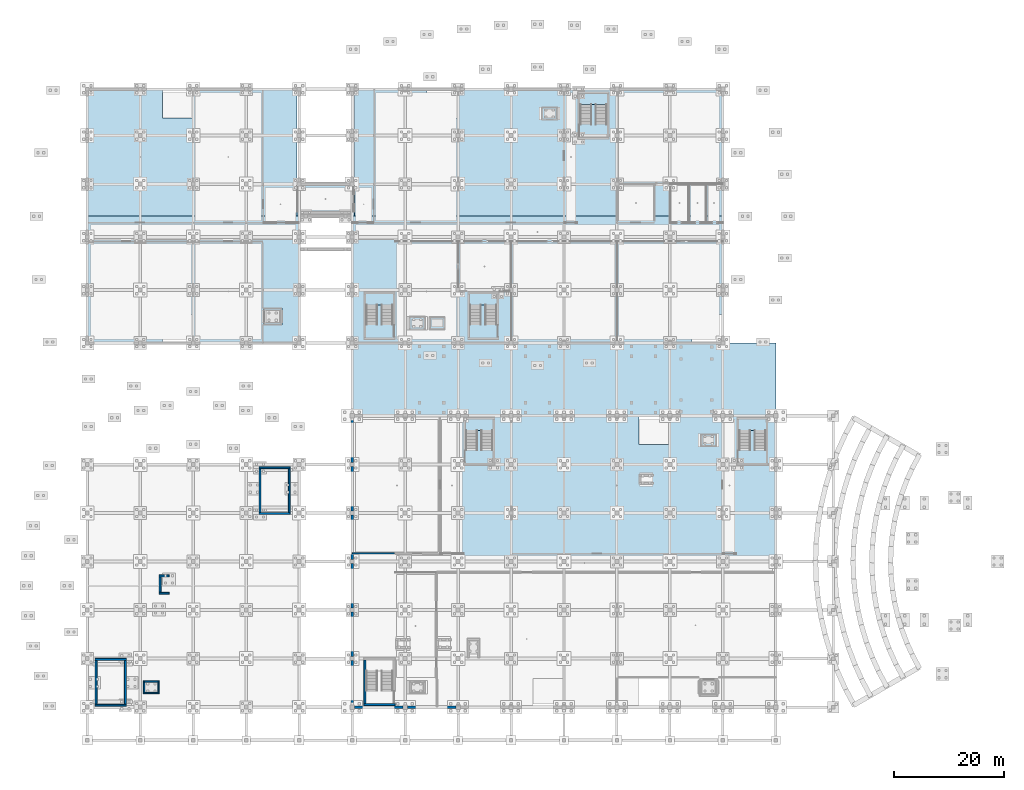
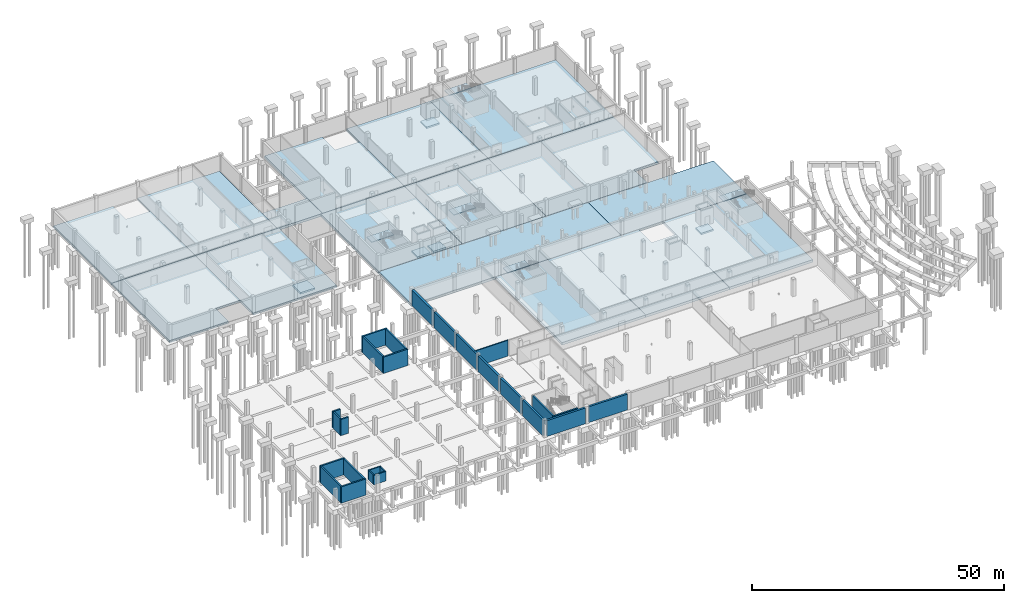
# One storey, part 12 of 31: 26 slabs, 26 walls, 5 elements without a shape of their own.
"""IFC4 building model written with IfcOpenShell, lengths in metres."""

from ifc_helpers import new_model, si_unit, direction, frame, frame_2d, origin, place, context, subcontext, project, spatial, polyline, rectangle, outline, extrude, material, layer, layer_set, type_object, element, aggregate, save


model = new_model("IFC4")

# Units and contexts
model_context = context("Model", 3, precision=1e-05, world=origin(), true_north=direction((0.0, 1.0)))
body_context = subcontext(model_context, "Body", "Model", "MODEL_VIEW")
ifc_project = project(units=[si_unit("LENGTHUNIT", "METRE"), si_unit("AREAUNIT", "SQUARE_METRE"), si_unit("VOLUMEUNIT", "CUBIC_METRE"), si_unit("PLANEANGLEUNIT", "RADIAN"), si_unit("MASSUNIT", "GRAM", prefix="KILO")], contexts=[model_context])

# Site, building, storey
site_placement = place(None, origin())
site = spatial("IfcSite", under=ifc_project, at=site_placement, CompositionType="ELEMENT")
building_placement = place(site_placement, origin())
building = spatial("IfcBuilding", under=site, at=building_placement, Name="Chalmorin Arch Market", CompositionType="ELEMENT")
storey_placement = place(building_placement, frame((0.0, 0.0, -4.199951171875)))
storey = spatial("IfcBuildingStorey", under=building, at=storey_placement, Name="B1", CompositionType="ELEMENT", Elevation=-4.199951171875)

# Slabs
ifc_material_1 = material(Name="Concrete C40/50", Category="concrete")
ifc_layer_1 = layer(ifc_material_1, 0.5)
ifc_layer_set_1 = layer_set([ifc_layer_1], Name="Concrete C40/50")
slab_type_1 = type_object("IfcSlabType", Name="FreezerDepressedSlab-500", PredefinedType="BASESLAB", material=ifc_layer_set_1)
slab_1_placement = place(storey_placement, frame((0.0, 0.0, -0.5)))
element("IfcSlab", 1, at=slab_1_placement, inside=storey, type_object=slab_type_1, Name="BS-500-015", PredefinedType="BASESLAB", context=body_context, shape_type="SweptSolid", body=[
    extrude(outline(polyline([(0.010009765625, 72.0), (13.590087890625, 72.0), (13.590087890625, 77.199951171875), (19.18994140625, 77.199951171875), (19.18994140625, 94.989990234375), (0.010009765625, 94.989990234375), (0.010009765625, 72.0)])), origin(), (0.0, 0.0, 1.0), 0.5),
])
slab_2_placement = place(storey_placement, frame((0.0, 0.0, -0.5)))
element("IfcSlab", 2, at=slab_2_placement, inside=storey, type_object=slab_type_1, Name="BS-500-016", PredefinedType="BASESLAB", context=body_context, shape_type="SweptSolid", body=[
    extrude(outline(polyline([(0.010009765625, 95.010009765625), (19.18994140625, 95.010009765625), (19.18994140625, 112.800048828125), (13.590087890625, 112.800048828125), (13.590087890625, 118.0), (0.010009765625, 118.0), (0.010009765625, 95.010009765625)])), origin(), (0.0, 0.0, 1.0), 0.5),
])
slab_3_placement = place(storey_placement, frame((0.0, 0.0, -0.5)))
element("IfcSlab", 3, at=slab_3_placement, inside=storey, type_object=slab_type_1, Name="BS-500-017", PredefinedType="BASESLAB", context=body_context, shape_type="SweptSolid", body=[
    extrude(outline(polyline([(19.2099609375, 72.0), (38.389892578125, 72.0), (38.389892578125, 94.989990234375), (19.2099609375, 94.989990234375), (19.2099609375, 72.0)])), origin(), (0.0, 0.0, 1.0), 0.5),
])
slab_4_placement = place(storey_placement, frame((0.0, 0.0, -0.5)))
element("IfcSlab", 4, at=slab_4_placement, inside=storey, type_object=slab_type_1, Name="BS-500-018", PredefinedType="BASESLAB", context=body_context, shape_type="SweptSolid", body=[
    extrude(outline(polyline([(19.2099609375, 95.010009765625), (37.97998046875, 95.010009765625), (37.97998046875, 118.0), (19.2099609375, 118.0), (19.2099609375, 95.010009765625)])), origin(), (0.0, 0.0, 1.0), 0.5),
])
ifc_layer_2 = layer(ifc_material_1, 0.60009765625)
ifc_layer_set_2 = layer_set([ifc_layer_2], Name="Concrete C40/50")
slab_type_2 = type_object("IfcSlabType", Name="MatFoundationSlab-600", PredefinedType="BASESLAB", material=ifc_layer_set_2)
slab_5_placement = place(storey_placement, frame((0.0, 0.0, -0.60009765625)))
element("IfcSlab", 5, at=slab_5_placement, inside=storey, type_object=slab_type_2, Name="BS-600-004", PredefinedType="BASESLAB", context=body_context, shape_type="SweptSolid", body=[
    extrude(outline(polyline([(67.2099609375, 32.409912109375), (86.389892578125, 32.409912109375), (86.389892578125, 58.800048828125), (67.2099609375, 58.800048828125), (67.2099609375, 32.409912109375)])), origin(), (0.0, 0.0, 1.0), 0.60009765625),
])
slab_6_placement = place(storey_placement, frame((0.0, 0.0, -0.60009765625)))
element("IfcSlab", 6, at=slab_6_placement, inside=storey, type_object=slab_type_2, Name="BS-600-006", PredefinedType="BASESLAB", context=body_context, shape_type="SweptSolid", body=[
    extrude(outline(polyline([(86.409912109375, 32.409912109375), (105.590087890625, 32.409912109375), (105.590087890625, 53.60009765625), (99.989990234375, 53.60009765625), (99.989990234375, 58.800048828125), (86.409912109375, 58.800048828125), (86.409912109375, 32.409912109375)])), origin(), (0.0, 0.0, 1.0), 0.60009765625),
])
slab_7_placement = place(storey_placement, frame((0.0, 0.0, -0.60009765625)))
element("IfcSlab", 7, at=slab_7_placement, inside=storey, type_object=slab_type_2, Name="BS-600-008", PredefinedType="BASESLAB", context=body_context, shape_type="SweptSolid", body=[
    extrude(outline(polyline([(105.610107421875, 32.409912109375), (124.7900390625, 32.409912109375), (124.7900390625, 58.800048828125), (105.610107421875, 58.800048828125), (105.610107421875, 32.409912109375)])), origin(), (0.0, 0.0, 1.0), 0.60009765625),
])
slab_8_placement = place(storey_placement, frame((0.0, 0.0, -0.60009765625)))
element("IfcSlab", 8, at=slab_8_placement, inside=storey, type_object=slab_type_2, Name="BS-600-013", PredefinedType="BASESLAB", context=body_context, shape_type="SweptSolid", body=[
    extrude(outline(polyline([(48.02001953125, 58.820068359375), (95.97998046875, 58.820068359375), (95.97998046875, 71.97998046875), (48.02001953125, 71.97998046875), (48.02001953125, 58.820068359375)])), origin(), (0.0, 0.0, 1.0), 0.60009765625),
])
slab_9_placement = place(storey_placement, frame((0.0, 0.0, -0.60009765625)))
element("IfcSlab", 9, at=slab_9_placement, inside=storey, type_object=slab_type_2, Name="BS-600-014", PredefinedType="BASESLAB", context=body_context, shape_type="SweptSolid", body=[
    extrude(outline(polyline([(96.02001953125, 58.820068359375), (124.780029296875, 58.820068359375), (124.780029296875, 71.97998046875), (96.02001953125, 71.97998046875), (96.02001953125, 58.820068359375)])), origin(), (0.0, 0.0, 1.0), 0.60009765625),
])
slab_10_placement = place(storey_placement, frame((0.0, 0.0, -0.60009765625)))
element("IfcSlab", 10, at=slab_10_placement, inside=storey, type_object=slab_type_2, Name="BS-600-019", PredefinedType="BASESLAB", context=body_context, shape_type="SweptSolid", body=[
    extrude(outline(polyline([(48.010009765625, 72.0), (67.18994140625, 72.0), (67.18994140625, 94.989990234375), (48.010009765625, 94.989990234375), (48.010009765625, 72.0)])), origin(), (0.0, 0.0, 1.0), 0.60009765625),
])
slab_11_placement = place(storey_placement, frame((0.0, 0.0, -0.60009765625)))
element("IfcSlab", 11, at=slab_11_placement, inside=storey, type_object=slab_type_2, Name="BS-600-020", PredefinedType="BASESLAB", context=body_context, shape_type="SweptSolid", body=[
    extrude(outline(polyline([(48.419921875, 95.010009765625), (67.18994140625, 95.010009765625), (67.18994140625, 112.800048828125), (61.590087890625, 112.800048828125), (61.590087890625, 118.0), (48.419921875, 118.0), (48.419921875, 95.010009765625)])), origin(), (0.0, 0.0, 1.0), 0.60009765625),
])
slab_12_placement = place(storey_placement, frame((0.0, 0.0, -0.60009765625)))
element("IfcSlab", 12, at=slab_12_placement, inside=storey, type_object=slab_type_2, Name="BS-600-021", PredefinedType="BASESLAB", context=body_context, shape_type="SweptSolid", body=[
    extrude(outline(polyline([(67.2099609375, 72.0), (86.389892578125, 72.0), (86.389892578125, 94.989990234375), (67.2099609375, 94.989990234375), (67.2099609375, 72.0)])), origin(), (0.0, 0.0, 1.0), 0.60009765625),
])
slab_13_placement = place(storey_placement, frame((0.0, 0.0, -0.60009765625)))
element("IfcSlab", 13, at=slab_13_placement, inside=storey, type_object=slab_type_2, Name="BS-600-022", PredefinedType="BASESLAB", context=body_context, shape_type="SweptSolid", body=[
    extrude(outline(polyline([(67.2099609375, 95.010009765625), (86.389892578125, 95.010009765625), (86.389892578125, 118.0), (67.2099609375, 118.0), (67.2099609375, 95.010009765625)])), origin(), (0.0, 0.0, 1.0), 0.60009765625),
])
slab_14_placement = place(storey_placement, frame((0.0, 0.0, -0.60009765625)))
element("IfcSlab", 14, at=slab_14_placement, inside=storey, type_object=slab_type_2, Name="BS-600-023", PredefinedType="BASESLAB", context=body_context, shape_type="SweptSolid", body=[
    extrude(outline(polyline([(86.409912109375, 72.0), (109.590087890625, 72.0), (109.590087890625, 77.199951171875), (115.18994140625, 77.199951171875), (115.18994140625, 94.989990234375), (86.409912109375, 94.989990234375), (86.409912109375, 72.0)])), origin(), (0.0, 0.0, 1.0), 0.60009765625),
])
slab_15_placement = place(storey_placement, frame((0.0, 0.0, -0.60009765625)))
element("IfcSlab", 15, at=slab_15_placement, inside=storey, type_object=slab_type_2, Name="BS-600-024", PredefinedType="BASESLAB", context=body_context, shape_type="SweptSolid", body=[
    extrude(outline(polyline([(86.409912109375, 95.010009765625), (115.18994140625, 95.010009765625), (115.18994140625, 118.0), (86.409912109375, 118.0), (86.409912109375, 95.010009765625)])), origin(), (0.0, 0.0, 1.0), 0.60009765625),
])
slab_16_placement = place(storey_placement, frame((0.0, 0.0, -0.60009765625)))
element("IfcSlab", 16, at=slab_16_placement, inside=storey, type_object=slab_type_2, Name="BS-600-TUN", PredefinedType="BASESLAB", context=body_context, shape_type="SweptSolid", body=[
    extrude(outline(polyline([(38.010009765625, 95.010009765625), (48.389892578125, 95.010009765625), (48.389892578125, 101.050048828125), (38.010009765625, 101.050048828125), (38.010009765625, 95.010009765625)])), origin(), (0.0, 0.0, 1.0), 0.60009765625),
])
slab_17_placement = place(storey_placement, frame((0.0, 0.0, -1.900146484375)))
element("IfcSlab", 17, at=slab_17_placement, inside=storey, type_object=slab_type_2, Name="PIT-LF-FF1", PredefinedType="BASESLAB", context=body_context, shape_type="SweptSolid", body=[
    extrude(outline(polyline([(58.330078125, 74.3798828125), (61.27001953125, 74.3798828125), (61.27001953125, 76.820068359375), (58.330078125, 76.820068359375), (58.330078125, 74.3798828125)])), origin(), (0.0, 0.0, 1.0), 0.400146484375),
])
slab_18_placement = place(storey_placement, frame((0.0, 0.0, -1.900146484375)))
element("IfcSlab", 18, at=slab_18_placement, inside=storey, type_object=slab_type_2, Name="PIT-LF-FF2", PredefinedType="BASESLAB", context=body_context, shape_type="SweptSolid", body=[
    extrude(outline(polyline([(82.330078125, 112.3798828125), (85.27001953125, 112.3798828125), (85.27001953125, 114.820068359375), (82.330078125, 114.820068359375), (82.330078125, 112.3798828125)])), origin(), (0.0, 0.0, 1.0), 0.400146484375),
])
slab_19_placement = place(storey_placement, frame((0.0, 0.0, -1.900146484375)))
element("IfcSlab", 19, at=slab_19_placement, inside=storey, type_object=slab_type_2, Name="PIT-LF-P3", PredefinedType="BASESLAB", context=body_context, shape_type="SweptSolid", body=[
    extrude(outline(polyline([(111.179931640625, 53.2548828125), (114.02001953125, 53.2548828125), (114.02001953125, 55.544921875), (111.179931640625, 55.544921875), (111.179931640625, 53.2548828125)])), origin(), (0.0, 0.0, 1.0), 0.400146484375),
])
slab_20_placement = place(storey_placement, frame((0.0, 0.0, -1.900146484375)))
element("IfcSlab", 20, at=slab_20_placement, inside=storey, type_object=slab_type_2, Name="PIT-LF-P4", PredefinedType="BASESLAB", context=body_context, shape_type="SweptSolid", body=[
    extrude(outline(polyline([(61.97998046875, 74.455078125), (64.820068359375, 74.455078125), (64.820068359375, 76.7451171875), (61.97998046875, 76.7451171875), (61.97998046875, 74.455078125)])), origin(), (0.0, 0.0, 1.0), 0.400146484375),
])
slab_21_placement = place(storey_placement, frame((0.0, 0.0, -1.900146484375)))
element("IfcSlab", 21, at=slab_21_placement, inside=storey, type_object=slab_type_2, Name="PIT-LF-FR1", PredefinedType="BASESLAB", context=body_context, shape_type="SweptSolid", body=[
    extrude(outline(polyline([(31.929931640625, 75.22998046875), (35.27001953125, 75.22998046875), (35.27001953125, 78.3701171875), (31.929931640625, 78.3701171875), (31.929931640625, 75.22998046875)])), origin(), (0.0, 0.0, 1.0), 0.400146484375),
])

# Stair, slab
stair_type_1 = type_object("IfcStairType", Name="DoglegExitStair-28R-SC4", PredefinedType="HALF_TURN_STAIR", material=ifc_material_1)
stair_1_placement = place(storey_placement, origin())
stair_1 = element("IfcStair", 22, at=stair_1_placement, inside=storey, type_object=stair_type_1, Name="ST-08", PredefinedType="HALF_TURN_STAIR")
ifc_layer_3 = layer(ifc_material_1, 0.18505859375)
ifc_layer_set_3 = layer_set([ifc_layer_3], Name="Concrete C40/50")
slab_type_3 = type_object("IfcSlabType", Name="StairLandingSlab-185", PredefinedType="LANDING", material=ifc_layer_set_3)
slab_22_placement = place(storey_placement, frame((0.0, 0.0, 1.9150390625)))
slab_22 = element("IfcSlab", 23, at=slab_22_placement, type_object=slab_type_3, Name="LS-008", PredefinedType="LANDING", context=body_context, shape_type="SweptSolid", body=[
    extrude(outline(polyline([(118.02001953125, 56.159912109375), (123.080078125, 56.159912109375), (123.080078125, 58.22998046875), (118.02001953125, 58.22998046875), (118.02001953125, 56.159912109375)])), origin(), (0.0, 0.0, 1.0), 0.184814453125),
])
aggregate(stair_1, [slab_22])

stair_type_2 = type_object("IfcStairType", Name="DoglegExitStair-28R-SC5", PredefinedType="HALF_TURN_STAIR", material=ifc_material_1)
stair_2_placement = place(storey_placement, origin())
stair_2 = element("IfcStair", 24, at=stair_2_placement, inside=storey, type_object=stair_type_2, Name="ST-11", PredefinedType="HALF_TURN_STAIR")
slab_23_placement = place(storey_placement, frame((0.0, 0.0, 1.9150390625)))
slab_23 = element("IfcSlab", 25, at=slab_23_placement, type_object=slab_type_3, Name="LS-011", PredefinedType="LANDING", context=body_context, shape_type="SweptSolid", body=[
    extrude(outline(polyline([(50.419921875, 78.909912109375), (55.47998046875, 78.909912109375), (55.47998046875, 80.97998046875), (50.419921875, 80.97998046875), (50.419921875, 78.909912109375)])), origin(), (0.0, 0.0, 1.0), 0.184814453125),
])
aggregate(stair_2, [slab_23])

stair_type_3 = type_object("IfcStairType", Name="DoglegExitStair-28R-SC6", PredefinedType="HALF_TURN_STAIR", material=ifc_material_1)
stair_3_placement = place(storey_placement, origin())
stair_3 = element("IfcStair", 26, at=stair_3_placement, inside=storey, type_object=stair_type_3, Name="ST-15", PredefinedType="HALF_TURN_STAIR")
slab_24_placement = place(storey_placement, frame((0.0, 0.0, 1.9150390625)))
slab_24 = element("IfcSlab", 27, at=slab_24_placement, type_object=slab_type_3, Name="LS-015", PredefinedType="LANDING", context=body_context, shape_type="SweptSolid", body=[
    extrude(outline(polyline([(89.219970703125, 115.2099609375), (94.280029296875, 115.2099609375), (94.280029296875, 117.280029296875), (89.219970703125, 117.280029296875), (89.219970703125, 115.2099609375)])), origin(), (0.0, 0.0, 1.0), 0.184814453125),
])
aggregate(stair_3, [slab_24])

stair_type_4 = type_object("IfcStairType", Name="DoglegExitStair-28R-SC7", PredefinedType="HALF_TURN_STAIR", material=ifc_material_1)
stair_4_placement = place(storey_placement, origin())
stair_4 = element("IfcStair", 28, at=stair_4_placement, inside=storey, type_object=stair_type_4, Name="ST-19", PredefinedType="HALF_TURN_STAIR")
slab_25_placement = place(storey_placement, frame((0.0, 0.0, 1.9150390625)))
slab_25 = element("IfcSlab", 29, at=slab_25_placement, type_object=slab_type_3, Name="LS-019", PredefinedType="LANDING", context=body_context, shape_type="SweptSolid", body=[
    extrude(outline(polyline([(69.219970703125, 78.909912109375), (74.280029296875, 78.909912109375), (74.280029296875, 80.97998046875), (69.219970703125, 80.97998046875), (69.219970703125, 78.909912109375)])), origin(), (0.0, 0.0, 1.0), 0.184814453125),
])
aggregate(stair_4, [slab_25])

stair_type_5 = type_object("IfcStairType", Name="DoglegExitStair-28R-SC8", PredefinedType="HALF_TURN_STAIR", material=ifc_material_1)
stair_5_placement = place(storey_placement, origin())
stair_5 = element("IfcStair", 30, at=stair_5_placement, inside=storey, type_object=stair_type_5, Name="ST-23", PredefinedType="HALF_TURN_STAIR")
slab_26_placement = place(storey_placement, frame((0.0, 0.0, 1.9150390625)))
slab_26 = element("IfcSlab", 31, at=slab_26_placement, type_object=slab_type_3, Name="LS-023", PredefinedType="LANDING", context=body_context, shape_type="SweptSolid", body=[
    extrude(outline(polyline([(68.52001953125, 56.159912109375), (73.580078125, 56.159912109375), (73.580078125, 58.22998046875), (68.52001953125, 58.22998046875), (68.52001953125, 56.159912109375)])), origin(), (0.0, 0.0, 1.0), 0.184814453125),
])
aggregate(stair_5, [slab_26])

# Walls
ifc_layer_4 = layer(ifc_material_1, 0.449951171875)
ifc_layer_set_4 = layer_set([ifc_layer_4], Name="Concrete C40/50")
wall_type_1 = type_object("IfcWallType", Name="BasementFloodwall-450", PredefinedType="SOLIDWALL", material=ifc_layer_set_4)
for number, where, z_axis, x_axis, name in (
    (32, (48.39990234375, 6.0, 0.0), (0.0, 0.0, 1.0), (1.0, 0.0, 0.0), "BFW-450-001"),
    (33, (58.0, 6.0, 0.0), (0.0, 0.0, 1.0), (1.0, 0.0, 0.0), "BFW-450-002"),
):
    element("IfcWall", number, at=place(storey_placement, frame(where, z_axis=z_axis, x_axis=x_axis)), inside=storey, type_object=wall_type_1, Name=name, PredefinedType="SOLIDWALL", context=body_context, shape_type="SweptSolid", body=[
        extrude(rectangle(XDim=8.800048828125, YDim=0.449951171875, at=frame_2d((4.39990234375, 0.0))), origin(), (0.0, 0.0, 1.0), 3.83984375),
    ])
wall_1_placement = place(storey_placement, frame((48.0, 58.39990234375, 0.0), z_axis=(0.0, 0.0, 1.0), x_axis=(0.0, -1.0, 0.0)))
element("IfcWall", 34, at=wall_1_placement, inside=storey, type_object=wall_type_1, Name="BFW-450-023", PredefinedType="SOLIDWALL", context=body_context, shape_type="SweptSolid", body=[
    extrude(rectangle(XDim=8.0498046875, YDim=0.449951171875, at=frame_2d((4.02490234375, 0.0))), origin(), (0.0, 0.0, 1.0), 3.83984375),
])
wall_2_placement = place(storey_placement, frame((48.0, 49.64990234375, 0.0), z_axis=(0.0, 0.0, 1.0), x_axis=(0.0, -1.0, 0.0)))
element("IfcWall", 35, at=wall_2_placement, inside=storey, type_object=wall_type_1, Name="BFW-450-024", PredefinedType="SOLIDWALL", context=body_context, shape_type="SweptSolid", body=[
    extrude(rectangle(XDim=8.099853515625, YDim=0.449951171875, at=frame_2d((4.0498046875, 0.0))), origin(), (0.0, 0.0, 1.0), 3.83984375),
])
for number, where, z_axis, x_axis, name in (
    (36, (48.0, 40.85009765625, 0.0), (0.0, 0.0, 1.0), (0.0, -1.0, 0.0), "BFW-450-025"),
    (37, (48.0, 32.050048828125, 0.0), (0.0, 0.0, 1.0), (0.0, -1.0, 0.0), "BFW-450-026"),
    (38, (48.0, 23.25, 0.0), (0.0, 0.0, 1.0), (0.0, -1.0, 0.0), "BFW-450-027"),
):
    element("IfcWall", number, at=place(storey_placement, frame(where, z_axis=z_axis, x_axis=x_axis)), inside=storey, type_object=wall_type_1, Name=name, PredefinedType="SOLIDWALL", context=body_context, shape_type="SweptSolid", body=[
        extrude(rectangle(XDim=8.10009765625, YDim=0.449951171875, at=frame_2d((4.050048828125, 0.0))), origin(), (0.0, 0.0, 1.0), 3.83984375),
    ])
wall_3_placement = place(storey_placement, frame((48.0, 14.449951171875, 0.0), z_axis=(0.0, 0.0, 1.0), x_axis=(0.0, -1.0, 0.0)))
element("IfcWall", 39, at=wall_3_placement, inside=storey, type_object=wall_type_1, Name="BFW-450-028", PredefinedType="SOLIDWALL", context=body_context, shape_type="SweptSolid", body=[
    extrude(rectangle(XDim=8.050048828125, YDim=0.449951171875, at=frame_2d((4.02490234375, 0.0))), origin(), (0.0, 0.0, 1.0), 3.83984375),
])
ifc_material_2 = material(Name="Galvanised Steel", Category="steel")
ifc_layer_5 = layer(ifc_material_2, 0.219970703125)
ifc_layer_set_5 = layer_set([ifc_layer_5], Name="Galvanised Steel")
wall_type_2 = type_object("IfcWallType", Name="ColdStoreInsulatedWall-220", PredefinedType="PARTITIONING", material=ifc_layer_set_5)
wall_4_placement = place(storey_placement, frame((48.050048828125, 33.89990234375, 0.0), z_axis=(0.0, 0.0, 1.0), x_axis=(1.0, 0.0, 0.0)))
element("IfcWall", 40, at=wall_4_placement, inside=storey, type_object=wall_type_2, Name="CIW-220-383", PredefinedType="PARTITIONING", context=body_context, shape_type="SweptSolid", body=[
    extrude(rectangle(XDim=7.60986328125, YDim=0.219970703125, at=frame_2d((3.804931640625, 0.0))), origin(), (0.0, 0.0, 1.0), 3.83984375),
])
ifc_layer_6 = layer(ifc_material_1, 0.35009765625)
ifc_layer_set_6 = layer_set([ifc_layer_6], Name="Concrete C40/50")
wall_type_3 = type_object("IfcWallType", Name="CoreShearWall-350", PredefinedType="SHEAR", material=ifc_layer_set_6)
for number, where, z_axis, x_axis, name in (
    (41, (7.074951171875, 6.35009765625, 0.0), (0.0, 0.0, 1.0), (-1.0, 0.0, 0.0), "CSW-350-001"),
    (42, (1.425048828125, 14.64990234375, 0.0), (0.0, 0.0, 1.0), (1.0, 0.0, 0.0), "CSW-350-002"),
):
    element("IfcWall", number, at=place(storey_placement, frame(where, z_axis=z_axis, x_axis=x_axis)), inside=storey, type_object=wall_type_3, Name=name, PredefinedType="SHEAR", context=body_context, shape_type="SweptSolid", body=[
        extrude(rectangle(XDim=5.64990234375, YDim=0.35009765625, at=frame_2d((2.824951171875, 0.0))), origin(), (0.0, 0.0, 1.0), 3.949951171875),
    ])
for number, where, z_axis, x_axis, name in (
    (43, (1.60009765625, 6.52490234375, 0.0), (0.0, 0.0, 1.0), (0.0, 1.0, 0.0), "CSW-350-003"),
    (44, (6.89990234375, 14.47509765625, 0.0), (0.0, 0.0, 1.0), (0.0, -1.0, 0.0), "CSW-350-004"),
):
    element("IfcWall", number, at=place(storey_placement, frame(where, z_axis=z_axis, x_axis=x_axis)), inside=storey, type_object=wall_type_3, Name=name, PredefinedType="SHEAR", context=body_context, shape_type="SweptSolid", body=[
        extrude(rectangle(XDim=7.9501953125, YDim=0.35009765625, at=frame_2d((3.97509765625, 0.0))), origin(), (0.0, 0.0, 1.0), 3.949951171875),
    ])
for number, where, z_axis, x_axis, name in (
    (45, (36.77490234375, 41.10009765625, 0.0), (0.0, 0.0, 1.0), (-1.0, 0.0, 0.0), "CSW-350-017"),
    (46, (31.125, 49.39990234375, 0.0), (0.0, 0.0, 1.0), (1.0, 0.0, 0.0), "CSW-350-018"),
):
    element("IfcWall", number, at=place(storey_placement, frame(where, z_axis=z_axis, x_axis=x_axis)), inside=storey, type_object=wall_type_3, Name=name, PredefinedType="SHEAR", context=body_context, shape_type="SweptSolid", body=[
        extrude(rectangle(XDim=5.64990234375, YDim=0.35009765625, at=frame_2d((2.824951171875, 0.0))), origin(), (0.0, 0.0, 1.0), 3.949951171875),
    ])
for number, where, z_axis, x_axis, name in (
    (47, (31.300048828125, 41.27490234375, 0.0), (0.0, 0.0, 1.0), (0.0, 1.0, 0.0), "CSW-350-019"),
    (48, (36.60009765625, 49.22509765625, 0.0), (0.0, 0.0, 1.0), (0.0, -1.0, 0.0), "CSW-350-020"),
):
    element("IfcWall", number, at=place(storey_placement, frame(where, z_axis=z_axis, x_axis=x_axis)), inside=storey, type_object=wall_type_3, Name=name, PredefinedType="SHEAR", context=body_context, shape_type="SweptSolid", body=[
        extrude(rectangle(XDim=7.9501953125, YDim=0.35009765625, at=frame_2d((3.97509765625, 0.0))), origin(), (0.0, 0.0, 1.0), 3.949951171875),
    ])
wall_5_placement = place(storey_placement, frame((55.77490234375, 6.449951171875, 0.0), z_axis=(0.0, 0.0, 1.0), x_axis=(-1.0, 0.0, 0.0)))
element("IfcWall", 49, at=wall_5_placement, inside=storey, type_object=wall_type_3, Name="CSW-350-033", PredefinedType="SHEAR", context=body_context, shape_type="SweptSolid", body=[
    extrude(rectangle(XDim=5.64990234375, YDim=0.35009765625, at=frame_2d((2.824951171875, 0.0))), origin(), (0.0, 0.0, 1.0), 3.949951171875),
])
wall_6_placement = place(storey_placement, frame((50.300048828125, 6.625, 0.0), z_axis=(0.0, 0.0, 1.0), x_axis=(0.0, 1.0, 0.0)))
element("IfcWall", 50, at=wall_6_placement, inside=storey, type_object=wall_type_3, Name="CSW-350-035", PredefinedType="SHEAR", context=body_context, shape_type="SweptSolid", body=[
    extrude(rectangle(XDim=7.949951171875, YDim=0.35009765625, at=frame_2d((3.97509765625, 0.0))), origin(), (0.0, 0.0, 1.0), 3.949951171875),
])
for number, where, z_axis, x_axis, name in (
    (51, (13.02490234375, 26.64990234375, 0.0), (0.0, 0.0, 1.0), (1.0, 0.0, 0.0), "CSW-350-168"),
    (52, (13.02490234375, 29.800048828125, 0.0), (0.0, 0.0, 1.0), (1.0, 0.0, 0.0), "CSW-350-169"),
):
    element("IfcWall", number, at=place(storey_placement, frame(where, z_axis=z_axis, x_axis=x_axis)), inside=storey, type_object=wall_type_3, Name=name, PredefinedType="SHEAR", context=body_context, shape_type="SweptSolid", body=[
        extrude(rectangle(XDim=1.800048828125, YDim=0.35009765625, at=frame_2d((0.89990234375, 0.0))), origin(), (0.0, 0.0, 1.0), 3.919921875),
    ])
wall_7_placement = place(storey_placement, frame((13.199951171875, 26.824951171875, 0.0), z_axis=(0.0, 0.0, 1.0), x_axis=(0.0, 1.0, 0.0)))
element("IfcWall", 53, at=wall_7_placement, inside=storey, type_object=wall_type_3, Name="CSW-350-170", PredefinedType="SHEAR", context=body_context, shape_type="SweptSolid", body=[
    extrude(rectangle(XDim=2.800048828125, YDim=0.35009765625, at=frame_2d((1.39990234375, 0.0))), origin(), (0.0, 0.0, 1.0), 3.919921875),
])
ifc_material_3 = material(Name="Concrete C35/45", Category="concrete")
ifc_layer_7 = layer(ifc_material_3, 0.25)
ifc_layer_set_7 = layer_set([ifc_layer_7], Name="Concrete C35/45")
wall_type_4 = type_object("IfcWallType", Name="ShaftEnclosureWall-250", PredefinedType="SOLIDWALL", material=ifc_layer_set_7)
for number, where, z_axis, x_axis, name in (
    (54, (10.175048828125, 8.574951171875, 0.0), (0.0, 0.0, 1.0), (1.0, 0.0, 0.0), "SEW-250-214"),
    (55, (10.175048828125, 10.625, 0.0), (0.0, 0.0, 1.0), (1.0, 0.0, 0.0), "SEW-250-215"),
):
    element("IfcWall", number, at=place(storey_placement, frame(where, z_axis=z_axis, x_axis=x_axis)), inside=storey, type_object=wall_type_4, Name=name, PredefinedType="SOLIDWALL", context=body_context, shape_type="SweptSolid", body=[
        extrude(rectangle(XDim=2.849853515625, YDim=0.25, at=frame_2d((1.4248046875, 0.0))), origin(), (0.0, 0.0, 1.0), 2.300048828125),
    ])
for number, where, z_axis, x_axis, name in (
    (56, (10.300048828125, 8.699951171875, 0.0), (0.0, 0.0, 1.0), (0.0, 1.0, 0.0), "SEW-250-216"),
    (57, (12.89990234375, 8.699951171875, 0.0), (0.0, 0.0, 1.0), (0.0, 1.0, 0.0), "SEW-250-217"),
):
    element("IfcWall", number, at=place(storey_placement, frame(where, z_axis=z_axis, x_axis=x_axis)), inside=storey, type_object=wall_type_4, Name=name, PredefinedType="SOLIDWALL", context=body_context, shape_type="SweptSolid", body=[
        extrude(rectangle(XDim=1.800048828125, YDim=0.25, at=frame_2d((0.89990234375, 0.0))), origin(), (0.0, 0.0, 1.0), 2.300048828125),
    ])

save(model, "model.ifc")
